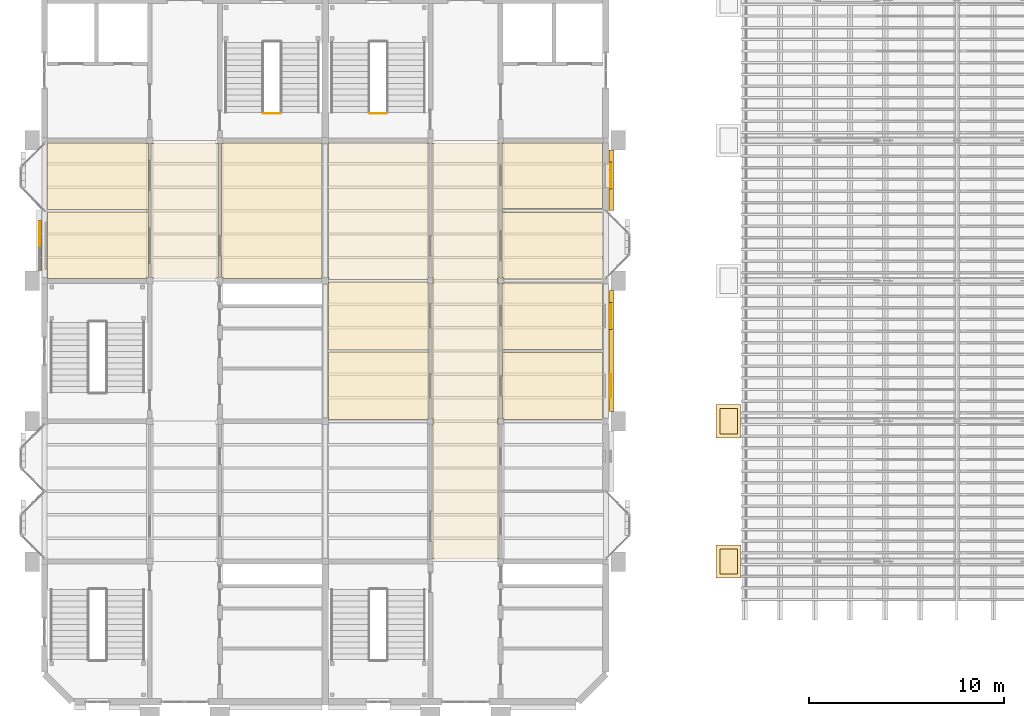
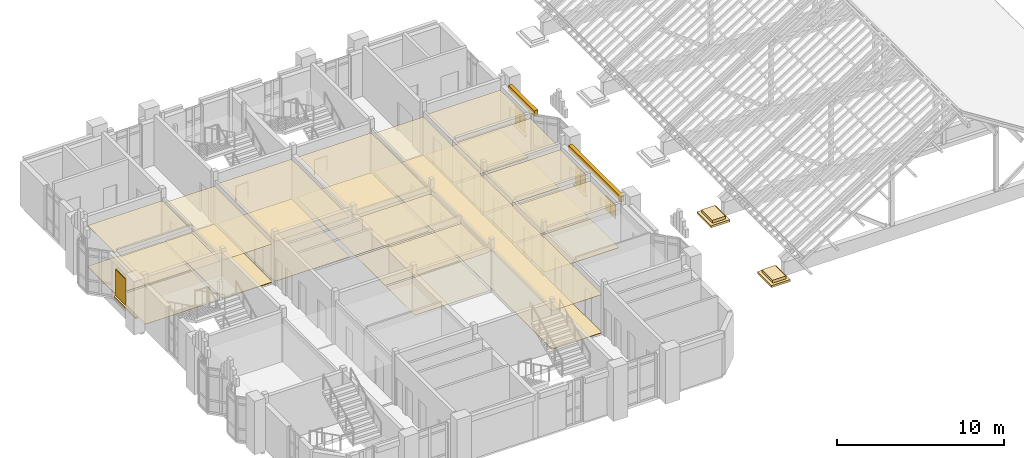
# One storey, part 62 of 71: 40 coverings, 2 railings.
"""IFC4 building model written with IfcOpenShell, lengths in metres."""

from ifc_helpers import new_model, si_unit, direction, frame, origin, origin_2d, place, context, subcontext, project, spatial, polyline, rectangle, circle, outline, extrude, material, layer, layer_set, type_object, element, save


model = new_model("IFC4")

# Units and contexts
model_context = context("Model", 3, precision=1e-05, world=origin(), true_north=direction((0.0, 1.0)))
body_context = subcontext(model_context, "Body", "Model", "MODEL_VIEW")
ifc_project = project(units=[si_unit("LENGTHUNIT", "METRE"), si_unit("AREAUNIT", "SQUARE_METRE"), si_unit("VOLUMEUNIT", "CUBIC_METRE"), si_unit("PLANEANGLEUNIT", "RADIAN"), si_unit("MASSUNIT", "GRAM", prefix="KILO")], contexts=[model_context])

# Site, building, storey
site_placement = place(None, origin())
site = spatial("IfcSite", under=ifc_project, at=site_placement, CompositionType="ELEMENT")
building_placement = place(site_placement, origin())
building = spatial("IfcBuilding", under=site, at=building_placement, Name="Mazhai Court Health Centre", CompositionType="ELEMENT")
storey_placement = place(building_placement, frame((0.0, 0.0, 10.199951171875)))
storey = spatial("IfcBuildingStorey", under=building, at=storey_placement, Name="L02", CompositionType="ELEMENT", Elevation=10.199951171875)

# Coverings
ifc_material_1 = material(Name="Clay brick masonry", Category="masonry")
ifc_layer_1 = layer(ifc_material_1, 0.25)
ifc_layer_set_1 = layer_set([ifc_layer_1], Name="BRICK BAND 250")
covering_type_1 = type_object("IfcCoveringType", Name="BRICK BAND 250", PredefinedType="MOLDING", material=ifc_layer_set_1)
covering_1_placement = place(storey_placement, frame((0.0, 0.0, 2.969970703125)))
element("IfcCovering", 1, at=covering_1_placement, inside=storey, type_object=covering_type_1, Name="EB-V5-L02-B2p0-0", PredefinedType="MOLDING", context=body_context, shape_type="SweptSolid", body=[
    extrude(outline(polyline([(35.1650390625, 27.300048828125), (35.1650390625, 21.10009765625), (35.4150390625, 21.10009765625), (35.4150390625, 27.300048828125), (35.1650390625, 27.300048828125)])), origin(), (0.0, 0.0, 1.0), 0.400146484375),
])
covering_2_placement = place(storey_placement, frame((0.0, 0.0, 2.969970703125)))
element("IfcCovering", 2, at=covering_2_placement, inside=storey, type_object=covering_type_1, Name="EB-V5-L02-B3p1-0", PredefinedType="MOLDING", context=body_context, shape_type="SweptSolid", body=[
    extrude(outline(polyline([(35.1650390625, 34.5), (35.1650390625, 31.39990234375), (35.4150390625, 31.39990234375), (35.4150390625, 34.5), (35.1650390625, 34.5)])), origin(), (0.0, 0.0, 1.0), 0.400146484375),
])
ifc_material_2 = material(Name="Clay brick masonry", Category="masonry")
ifc_layer_2 = layer(ifc_material_2, 0.14990234375)
ifc_layer_set_2 = layer_set([ifc_layer_2], Name="BRICK BUTTRESS CAP 150")
covering_type_2 = type_object("IfcCoveringType", Name="BRICK BUTTRESS CAP 150", PredefinedType="MOLDING", material=ifc_layer_set_2)
covering_3_placement = place(storey_placement, origin())
element("IfcCovering", 3, at=covering_3_placement, inside=storey, type_object=covering_type_2, Name="EC-V1-W0-0", PredefinedType="MOLDING", context=body_context, shape_type="SweptSolid", body=[
    extrude(outline(polyline([(41.93994140625, 12.550048828125), (41.93994140625, 14.25), (40.639892578125, 14.25), (40.639892578125, 12.550048828125), (41.93994140625, 12.550048828125)])), origin(), (0.0, 0.0, 1.0), 0.150146484375),
])
covering_4_placement = place(storey_placement, frame((0.0, 0.0, 0.150146484375)))
element("IfcCovering", 4, at=covering_4_placement, inside=storey, type_object=covering_type_2, Name="EC-V1-W0-1", PredefinedType="MOLDING", context=body_context, shape_type="SweptSolid", body=[
    extrude(outline(polyline([(41.739990234375, 12.75), (41.739990234375, 14.050048828125), (40.840087890625, 14.050048828125), (40.840087890625, 12.75), (41.739990234375, 12.75)])), origin(), (0.0, 0.0, 1.0), 0.199951171875),
])
covering_5_placement = place(storey_placement, origin())
element("IfcCovering", 5, at=covering_5_placement, inside=storey, type_object=covering_type_2, Name="EC-V1-W1-0", PredefinedType="MOLDING", context=body_context, shape_type="SweptSolid", body=[
    extrude(outline(polyline([(41.93994140625, 19.75), (41.93994140625, 21.449951171875), (40.639892578125, 21.449951171875), (40.639892578125, 19.75), (41.93994140625, 19.75)])), origin(), (0.0, 0.0, 1.0), 0.150146484375),
])
covering_6_placement = place(storey_placement, frame((0.0, 0.0, 0.150146484375)))
element("IfcCovering", 6, at=covering_6_placement, inside=storey, type_object=covering_type_2, Name="EC-V1-W1-1", PredefinedType="MOLDING", context=body_context, shape_type="SweptSolid", body=[
    extrude(outline(polyline([(41.739990234375, 19.949951171875), (41.739990234375, 21.25), (40.840087890625, 21.25), (40.840087890625, 19.949951171875), (41.739990234375, 19.949951171875)])), origin(), (0.0, 0.0, 1.0), 0.199951171875),
])
ifc_material_3 = material(Name="Clay brick masonry", Category="masonry")
ifc_layer_3 = layer(ifc_material_3, 0.14990234375)
ifc_layer_set_3 = layer_set([ifc_layer_3], Name="BRICK SILL COURSE 150")
covering_type_3 = type_object("IfcCoveringType", Name="BRICK SILL COURSE 150", PredefinedType="MOLDING", material=ifc_layer_set_3)
covering_7_placement = place(storey_placement, frame((0.0, 0.0, 0.330078125)))
element("IfcCovering", 7, at=covering_7_placement, inside=storey, type_object=covering_type_3, Name="ES-WN-V2-L02-A30", PredefinedType="MOLDING", context=body_context, shape_type="SweptSolid", body=[
    extrude(outline(polyline([(6.034912109375, 28.300048828125), (6.034912109375, 30.89990234375), (5.885009765625, 30.89990234375), (5.885009765625, 28.300048828125), (6.034912109375, 28.300048828125)])), origin(), (0.0, 0.0, 1.0), 0.119873046875),
])
covering_8_placement = place(storey_placement, frame((0.0, 0.0, 0.780029296875)))
element("IfcCovering", 8, at=covering_8_placement, inside=storey, type_object=covering_type_3, Name="ES-WN-V5-L02-B21", PredefinedType="MOLDING", context=body_context, shape_type="SweptSolid", body=[
    extrude(outline(polyline([(35.1650390625, 26.699951171875), (35.1650390625, 25.300048828125), (35.31494140625, 25.300048828125), (35.31494140625, 26.699951171875), (35.1650390625, 26.699951171875)])), origin(), (0.0, 0.0, 1.0), 0.1201171875),
])
covering_9_placement = place(storey_placement, frame((0.0, 0.0, 0.780029296875)))
element("IfcCovering", 9, at=covering_9_placement, inside=storey, type_object=covering_type_3, Name="ES-WN-V5-L02-B31", PredefinedType="MOLDING", context=body_context, shape_type="SweptSolid", body=[
    extrude(outline(polyline([(35.1650390625, 33.89990234375), (35.1650390625, 32.5), (35.31494140625, 32.5), (35.31494140625, 33.89990234375), (35.1650390625, 33.89990234375)])), origin(), (0.0, 0.0, 1.0), 0.1201171875),
])
ifc_material_4 = material(Name="Gypsum plasterboard ceiling")
ifc_layer_4 = layer(ifc_material_4, 0.02001953125)
ifc_layer_set_4 = layer_set([ifc_layer_4], Name="CEILING GYPSUM BOARD 20")
covering_type_4 = type_object("IfcCoveringType", Name="CEILING GYPSUM BOARD 20", PredefinedType="CEILING", material=ifc_layer_set_4)
covering_10_placement = place(storey_placement, frame((0.0, 0.0, 2.800048828125)))
element("IfcCovering", 10, at=covering_10_placement, inside=storey, type_object=covering_type_4, Name="ceil-V2-L02-A1-day-ward-bay", PredefinedType="CEILING", context=body_context, shape_type="SweptSolid", body=[
    extrude(outline(polyline([(11.43994140625, 27.925048828125), (11.43994140625, 27.9599609375), (11.52490234375, 27.9599609375), (11.52490234375, 31.33740234375), (6.364990234375, 31.33740234375), (6.364990234375, 27.925048828125), (11.43994140625, 27.925048828125)])), origin(), (0.0, 0.0, 1.0), 0.02001953125),
])
covering_11_placement = place(storey_placement, frame((0.0, 0.0, 2.900146484375)))
element("IfcCovering", 11, at=covering_11_placement, inside=storey, type_object=covering_type_4, Name="ceil-V2-L02-B1-second-phase-recovery-lounge", PredefinedType="CEILING", context=body_context, shape_type="SweptSolid", body=[
    extrude(outline(polyline([(15.360107421875, 34.875), (15.360107421875, 34.840087890625), (15.27490234375, 34.840087890625), (15.27490234375, 27.9599609375), (15.360107421875, 27.9599609375), (15.360107421875, 27.925048828125), (20.43505859375, 27.925048828125), (20.43505859375, 34.875), (15.360107421875, 34.875)])), origin(), (0.0, 0.0, 1.0), 0.02001953125),
])
covering_12_placement = place(storey_placement, frame((0.0, 0.0, 2.800048828125)))
element("IfcCovering", 12, at=covering_12_placement, inside=storey, type_object=covering_type_4, Name="ceil-V5-L02-A0-physiotherapy-treatment-room-1", PredefinedType="CEILING", context=body_context, shape_type="SweptSolid", body=[
    extrude(outline(polyline([(25.860107421875, 20.699951171875), (25.860107421875, 20.739990234375), (25.925048828125, 20.739990234375), (25.925048828125, 24.137451171875), (20.764892578125, 24.137451171875), (20.764892578125, 20.699951171875), (25.860107421875, 20.699951171875)])), origin(), (0.0, 0.0, 1.0), 0.02001953125),
])
covering_13_placement = place(storey_placement, frame((0.0, 0.0, 2.800048828125)))
element("IfcCovering", 13, at=covering_13_placement, inside=storey, type_object=covering_type_4, Name="ceil-V5-L02-A0-physiotherapy-treatment-room-2", PredefinedType="CEILING", context=body_context, shape_type="SweptSolid", body=[
    extrude(outline(polyline([(25.925048828125, 27.659912109375), (25.860107421875, 27.659912109375), (25.860107421875, 27.737548828125), (20.764892578125, 27.737548828125), (20.764892578125, 24.262451171875), (25.925048828125, 24.262451171875), (25.925048828125, 27.659912109375)])), origin(), (0.0, 0.0, 1.0), 0.02001953125),
])
covering_14_placement = place(storey_placement, frame((0.0, 0.0, 2.900146484375)))
element("IfcCovering", 14, at=covering_14_placement, inside=storey, type_object=covering_type_4, Name="ceil-V5-L02-A0-seminar-room", PredefinedType="CEILING", context=body_context, shape_type="SweptSolid", body=[
    extrude(outline(polyline([(25.925048828125, 34.860107421875), (25.860107421875, 34.860107421875), (25.860107421875, 34.875), (20.764892578125, 34.875), (20.764892578125, 27.862548828125), (25.860107421875, 27.862548828125), (25.860107421875, 27.93994140625), (25.925048828125, 27.93994140625), (25.925048828125, 34.860107421875)])), origin(), (0.0, 0.0, 1.0), 0.02001953125),
])
covering_15_placement = place(storey_placement, frame((0.0, 0.0, 2.800048828125)))
element("IfcCovering", 15, at=covering_15_placement, inside=storey, type_object=covering_type_4, Name="ceil-V5-L02-B0-server-room", PredefinedType="CEILING", context=body_context, shape_type="SweptSolid", body=[
    extrude(outline(polyline([(29.6875, 20.739990234375), (29.739990234375, 20.739990234375), (29.739990234375, 20.6875), (34.8349609375, 20.6875), (34.8349609375, 24.112548828125), (29.6875, 24.112548828125), (29.6875, 20.739990234375)])), origin(), (0.0, 0.0, 1.0), 0.02001953125),
])
covering_16_placement = place(storey_placement, frame((0.0, 0.0, 2.900146484375)))
element("IfcCovering", 16, at=covering_16_placement, inside=storey, type_object=covering_type_4, Name="ceil-V5-L02-B0-staff-room", PredefinedType="CEILING", context=body_context, shape_type="SweptSolid", body=[
    extrude(outline(polyline([(29.739990234375, 27.699951171875), (29.739990234375, 27.659912109375), (29.675048828125, 27.659912109375), (29.675048828125, 24.28759765625), (34.8349609375, 24.28759765625), (34.8349609375, 27.699951171875), (29.739990234375, 27.699951171875)])), origin(), (0.0, 0.0, 1.0), 0.02001953125),
])
covering_17_placement = place(storey_placement, frame((0.0, 0.0, 3.0)))
element("IfcCovering", 17, at=covering_17_placement, inside=storey, type_object=covering_type_4, Name="ceil-V5-L02-B0-occupational-therapy-room", PredefinedType="CEILING", context=body_context, shape_type="SweptSolid", body=[
    extrude(outline(polyline([(29.675048828125, 27.93994140625), (29.739990234375, 27.93994140625), (29.739990234375, 27.89990234375), (34.8349609375, 27.89990234375), (34.8349609375, 31.300048828125), (29.675048828125, 31.300048828125), (29.675048828125, 27.93994140625)])), origin(), (0.0, 0.0, 1.0), 0.02001953125),
])
covering_18_placement = place(storey_placement, frame((0.0, 0.0, 2.900146484375)))
element("IfcCovering", 18, at=covering_18_placement, inside=storey, type_object=covering_type_4, Name="ceil-V5-L02-B0-rehabilitation-office", PredefinedType="CEILING", context=body_context, shape_type="SweptSolid", body=[
    extrude(outline(polyline([(29.739990234375, 34.875), (29.739990234375, 34.860107421875), (29.675048828125, 34.860107421875), (29.675048828125, 31.5), (34.8349609375, 31.5), (34.8349609375, 34.875), (29.739990234375, 34.875)])), origin(), (0.0, 0.0, 1.0), 0.02001953125),
])
ifc_material_5 = material(Name="Mineral fibre ceiling tile")
ifc_layer_5 = layer(ifc_material_5, 0.014892578125)
ifc_layer_set_5 = layer_set([ifc_layer_5], Name="CEILING MINERAL FIBRE TILE 15")
covering_type_5 = type_object("IfcCoveringType", Name="CEILING MINERAL FIBRE TILE 15", PredefinedType="CEILING", material=ifc_layer_set_5)
covering_19_placement = place(storey_placement, frame((0.0, 0.0, 3.0)))
element("IfcCovering", 19, at=covering_19_placement, inside=storey, type_object=covering_type_5, Name="ceil-V2-L02-A1-discharge-lounge", PredefinedType="CEILING", context=body_context, shape_type="SweptSolid", body=[
    extrude(outline(polyline([(11.52490234375, 34.840087890625), (11.43994140625, 34.840087890625), (11.43994140625, 34.875), (6.364990234375, 34.875), (6.364990234375, 31.46240234375), (11.52490234375, 31.46240234375), (11.52490234375, 34.840087890625)])), origin(), (0.0, 0.0, 1.0), 0.01513671875),
])
covering_20_placement = place(storey_placement, frame((0.0, 0.0, 2.800048828125)))
element("IfcCovering", 20, at=covering_20_placement, inside=storey, type_object=covering_type_5, Name="ceil-V2-L02-corridor-1", PredefinedType="CEILING", context=body_context, shape_type="SweptSolid", body=[
    extrude(outline(polyline([(15.0400390625, 27.925048828125), (15.0400390625, 27.9599609375), (15.125, 27.9599609375), (15.125, 34.840087890625), (15.0400390625, 34.840087890625), (15.0400390625, 34.875), (11.760009765625, 34.875), (11.760009765625, 34.840087890625), (11.675048828125, 34.840087890625), (11.675048828125, 27.9599609375), (11.760009765625, 27.9599609375), (11.760009765625, 27.925048828125), (15.0400390625, 27.925048828125)])), origin(), (0.0, 0.0, 1.0), 0.014892578125),
])
covering_21_placement = place(storey_placement, frame((0.0, 0.0, 2.800048828125)))
element("IfcCovering", 21, at=covering_21_placement, inside=storey, type_object=covering_type_5, Name="ceil-V5-L02-corridor-0", PredefinedType="CEILING", context=body_context, shape_type="SweptSolid", body=[
    extrude(outline(polyline([(29.4599609375, 13.52490234375), (29.4599609375, 13.5400390625), (29.52490234375, 13.5400390625), (29.52490234375, 20.4599609375), (29.4599609375, 20.4599609375), (29.4599609375, 20.739990234375), (29.512451171875, 20.739990234375), (29.512451171875, 24.199951171875), (29.52490234375, 24.199951171875), (29.52490234375, 27.659912109375), (29.4599609375, 27.659912109375), (29.4599609375, 27.93994140625), (29.52490234375, 27.93994140625), (29.52490234375, 34.860107421875), (29.4599609375, 34.860107421875), (29.4599609375, 34.875), (26.139892578125, 34.875), (26.139892578125, 34.860107421875), (26.074951171875, 34.860107421875), (26.074951171875, 27.93994140625), (26.139892578125, 27.93994140625), (26.139892578125, 27.659912109375), (26.074951171875, 27.659912109375), (26.074951171875, 20.739990234375), (26.139892578125, 20.739990234375), (26.139892578125, 20.4599609375), (26.074951171875, 20.4599609375), (26.074951171875, 13.5400390625), (26.139892578125, 13.5400390625), (26.139892578125, 13.52490234375), (29.4599609375, 13.52490234375)])), origin(), (0.0, 0.0, 1.0), 0.014892578125),
])
ifc_material_6 = material(Name="Epoxy floor screed")
ifc_layer_6 = layer(ifc_material_6, 0.034912109375)
ifc_layer_set_6 = layer_set([ifc_layer_6], Name="FLOOR FINISH EPOXY FLOOR SCREED 35")
covering_type_6 = type_object("IfcCoveringType", Name="FLOOR FINISH EPOXY FLOOR SCREED 35", PredefinedType="FLOORING", material=ifc_layer_set_6)
covering_22_placement = place(storey_placement, origin())
element("IfcCovering", 22, at=covering_22_placement, inside=storey, type_object=covering_type_6, Name="floor-V5-L02-B0-server-room", PredefinedType="FLOORING", context=body_context, shape_type="SweptSolid", body=[
    extrude(outline(polyline([(29.6875, 20.739990234375), (29.739990234375, 20.739990234375), (29.739990234375, 20.6875), (34.8349609375, 20.6875), (34.8349609375, 24.112548828125), (29.6875, 24.112548828125), (29.6875, 20.739990234375)])), origin(), (0.0, 0.0, 1.0), 0.03515625),
])
ifc_material_7 = material(Name="Heavy duty vinyl flooring")
ifc_layer_7 = layer(ifc_material_7, 0.02001953125)
ifc_layer_set_7 = layer_set([ifc_layer_7], Name="FLOOR FINISH HEAVY DUTY VINYL FLOORING 20")
covering_type_7 = type_object("IfcCoveringType", Name="FLOOR FINISH HEAVY DUTY VINYL FLOORING 20", PredefinedType="FLOORING", material=ifc_layer_set_7)
covering_23_placement = place(storey_placement, origin())
element("IfcCovering", 23, at=covering_23_placement, inside=storey, type_object=covering_type_7, Name="floor-V2-L02-A1-day-ward-bay", PredefinedType="FLOORING", context=body_context, shape_type="SweptSolid", body=[
    extrude(outline(polyline([(11.43994140625, 27.925048828125), (11.43994140625, 27.9599609375), (11.52490234375, 27.9599609375), (11.52490234375, 31.33740234375), (6.364990234375, 31.33740234375), (6.364990234375, 27.925048828125), (11.43994140625, 27.925048828125)])), origin(), (0.0, 0.0, 1.0), 0.02001953125),
])
covering_24_placement = place(storey_placement, origin())
element("IfcCovering", 24, at=covering_24_placement, inside=storey, type_object=covering_type_7, Name="floor-V5-L02-A0-physiotherapy-treatment-room-1", PredefinedType="FLOORING", context=body_context, shape_type="SweptSolid", body=[
    extrude(outline(polyline([(25.860107421875, 20.699951171875), (25.860107421875, 20.739990234375), (25.925048828125, 20.739990234375), (25.925048828125, 24.137451171875), (20.764892578125, 24.137451171875), (20.764892578125, 20.699951171875), (25.860107421875, 20.699951171875)])), origin(), (0.0, 0.0, 1.0), 0.02001953125),
])
covering_25_placement = place(storey_placement, origin())
element("IfcCovering", 25, at=covering_25_placement, inside=storey, type_object=covering_type_7, Name="floor-V5-L02-A0-physiotherapy-treatment-room-2", PredefinedType="FLOORING", context=body_context, shape_type="SweptSolid", body=[
    extrude(outline(polyline([(25.925048828125, 27.659912109375), (25.860107421875, 27.659912109375), (25.860107421875, 27.737548828125), (20.764892578125, 27.737548828125), (20.764892578125, 24.262451171875), (25.925048828125, 24.262451171875), (25.925048828125, 27.659912109375)])), origin(), (0.0, 0.0, 1.0), 0.02001953125),
])
ifc_material_8 = material(Name="Linoleum flooring")
ifc_layer_8 = layer(ifc_material_8, 0.02001953125)
ifc_layer_set_8 = layer_set([ifc_layer_8], Name="FLOOR FINISH LINOLEUM FLOORING 20")
covering_type_8 = type_object("IfcCoveringType", Name="FLOOR FINISH LINOLEUM FLOORING 20", PredefinedType="FLOORING", material=ifc_layer_set_8)
covering_26_placement = place(storey_placement, origin())
element("IfcCovering", 26, at=covering_26_placement, inside=storey, type_object=covering_type_8, Name="floor-V2-L02-B1-second-phase-recovery-lounge", PredefinedType="FLOORING", context=body_context, shape_type="SweptSolid", body=[
    extrude(outline(polyline([(15.360107421875, 34.875), (15.360107421875, 34.840087890625), (15.27490234375, 34.840087890625), (15.27490234375, 27.9599609375), (15.360107421875, 27.9599609375), (15.360107421875, 27.925048828125), (20.43505859375, 27.925048828125), (20.43505859375, 34.875), (15.360107421875, 34.875)])), origin(), (0.0, 0.0, 1.0), 0.02001953125),
])
covering_27_placement = place(storey_placement, origin())
element("IfcCovering", 27, at=covering_27_placement, inside=storey, type_object=covering_type_8, Name="floor-V5-L02-A0-seminar-room", PredefinedType="FLOORING", context=body_context, shape_type="SweptSolid", body=[
    extrude(outline(polyline([(25.925048828125, 34.860107421875), (25.860107421875, 34.860107421875), (25.860107421875, 34.875), (20.764892578125, 34.875), (20.764892578125, 27.862548828125), (25.860107421875, 27.862548828125), (25.860107421875, 27.93994140625), (25.925048828125, 27.93994140625), (25.925048828125, 34.860107421875)])), origin(), (0.0, 0.0, 1.0), 0.02001953125),
])
covering_28_placement = place(storey_placement, origin())
element("IfcCovering", 28, at=covering_28_placement, inside=storey, type_object=covering_type_8, Name="floor-V5-L02-B0-staff-room", PredefinedType="FLOORING", context=body_context, shape_type="SweptSolid", body=[
    extrude(outline(polyline([(29.739990234375, 27.699951171875), (29.739990234375, 27.659912109375), (29.675048828125, 27.659912109375), (29.675048828125, 24.28759765625), (34.8349609375, 24.28759765625), (34.8349609375, 27.699951171875), (29.739990234375, 27.699951171875)])), origin(), (0.0, 0.0, 1.0), 0.02001953125),
])
covering_29_placement = place(storey_placement, origin())
element("IfcCovering", 29, at=covering_29_placement, inside=storey, type_object=covering_type_8, Name="floor-V5-L02-B0-occupational-therapy-room", PredefinedType="FLOORING", context=body_context, shape_type="SweptSolid", body=[
    extrude(outline(polyline([(29.675048828125, 27.93994140625), (29.739990234375, 27.93994140625), (29.739990234375, 27.89990234375), (34.8349609375, 27.89990234375), (34.8349609375, 31.300048828125), (29.675048828125, 31.300048828125), (29.675048828125, 27.93994140625)])), origin(), (0.0, 0.0, 1.0), 0.02001953125),
])
covering_30_placement = place(storey_placement, origin())
element("IfcCovering", 30, at=covering_30_placement, inside=storey, type_object=covering_type_8, Name="floor-V5-L02-B0-rehabilitation-office", PredefinedType="FLOORING", context=body_context, shape_type="SweptSolid", body=[
    extrude(outline(polyline([(29.739990234375, 34.875), (29.739990234375, 34.860107421875), (29.675048828125, 34.860107421875), (29.675048828125, 31.5), (34.8349609375, 31.5), (34.8349609375, 34.875), (29.739990234375, 34.875)])), origin(), (0.0, 0.0, 1.0), 0.02001953125),
])
ifc_material_9 = material(Name="Terrazzo flooring")
ifc_layer_9 = layer(ifc_material_9, 0.0400390625)
ifc_layer_set_9 = layer_set([ifc_layer_9], Name="FLOOR FINISH TERRAZZO FLOORING 40")
covering_type_9 = type_object("IfcCoveringType", Name="FLOOR FINISH TERRAZZO FLOORING 40", PredefinedType="FLOORING", material=ifc_layer_set_9)
covering_31_placement = place(storey_placement, origin())
element("IfcCovering", 31, at=covering_31_placement, inside=storey, type_object=covering_type_9, Name="floor-V2-L02-A1-discharge-lounge", PredefinedType="FLOORING", context=body_context, shape_type="SweptSolid", body=[
    extrude(outline(polyline([(11.52490234375, 34.840087890625), (11.43994140625, 34.840087890625), (11.43994140625, 34.875), (6.364990234375, 34.875), (6.364990234375, 31.46240234375), (11.52490234375, 31.46240234375), (11.52490234375, 34.840087890625)])), origin(), (0.0, 0.0, 1.0), 0.0400390625),
])
covering_32_placement = place(storey_placement, origin())
element("IfcCovering", 32, at=covering_32_placement, inside=storey, type_object=covering_type_9, Name="floor-V2-L02-corridor-1", PredefinedType="FLOORING", context=body_context, shape_type="SweptSolid", body=[
    extrude(outline(polyline([(15.0400390625, 27.925048828125), (15.0400390625, 27.9599609375), (15.125, 27.9599609375), (15.125, 34.840087890625), (15.0400390625, 34.840087890625), (15.0400390625, 34.875), (11.760009765625, 34.875), (11.760009765625, 34.840087890625), (11.675048828125, 34.840087890625), (11.675048828125, 27.9599609375), (11.760009765625, 27.9599609375), (11.760009765625, 27.925048828125), (15.0400390625, 27.925048828125)])), origin(), (0.0, 0.0, 1.0), 0.0400390625),
])
covering_33_placement = place(storey_placement, origin())
element("IfcCovering", 33, at=covering_33_placement, inside=storey, type_object=covering_type_9, Name="floor-V5-L02-corridor-0", PredefinedType="FLOORING", context=body_context, shape_type="SweptSolid", body=[
    extrude(outline(polyline([(29.4599609375, 13.52490234375), (29.4599609375, 13.5400390625), (29.52490234375, 13.5400390625), (29.52490234375, 20.4599609375), (29.4599609375, 20.4599609375), (29.4599609375, 20.739990234375), (29.512451171875, 20.739990234375), (29.512451171875, 24.199951171875), (29.52490234375, 24.199951171875), (29.52490234375, 27.659912109375), (29.4599609375, 27.659912109375), (29.4599609375, 27.93994140625), (29.52490234375, 27.93994140625), (29.52490234375, 34.860107421875), (29.4599609375, 34.860107421875), (29.4599609375, 34.875), (26.139892578125, 34.875), (26.139892578125, 34.860107421875), (26.074951171875, 34.860107421875), (26.074951171875, 27.93994140625), (26.139892578125, 27.93994140625), (26.139892578125, 27.659912109375), (26.074951171875, 27.659912109375), (26.074951171875, 20.739990234375), (26.139892578125, 20.739990234375), (26.139892578125, 20.4599609375), (26.074951171875, 20.4599609375), (26.074951171875, 13.5400390625), (26.139892578125, 13.5400390625), (26.139892578125, 13.52490234375), (29.4599609375, 13.52490234375)])), origin(), (0.0, 0.0, 1.0), 0.0400390625),
])
ifc_material_10 = material(Name="Aluminium louvre", Category="aluminium")
ifc_layer_10 = layer(ifc_material_10, 0.0400390625)
ifc_layer_set_10 = layer_set([ifc_layer_10], Name="SHUTTER LEAF 600x40")
covering_type_10 = type_object("IfcCoveringType", Name="SHUTTER LEAF 600x40", PredefinedType="CLADDING", material=ifc_layer_set_10)
covering_34_placement = place(storey_placement, frame((5.955078125, 30.199951171875, 0.550048828125), z_axis=(0.0, 0.0, 1.0), x_axis=(0.0, 1.0, 0.0)))
element("IfcCovering", 34, at=covering_34_placement, inside=storey, type_object=covering_type_10, Name="LV-V2-L02-A30b", PredefinedType="CLADDING", context=body_context, shape_type="SweptSolid", body=[
    extrude(rectangle(XDim=1.199951171875, YDim=0.0400390625, at=origin_2d()), origin(), (0.0, 0.0, 1.0), 1.89990234375),
])
for number, where, z_axis, x_axis, name in (
    (35, (35.2451171875, 22.10009765625, 1.300048828125), (0.0, 0.0, 1.0), (0.0, 1.0, 0.0), "LV-V5-L02-B20a"),
    (36, (35.2451171875, 22.699951171875, 1.300048828125), (0.0, 0.0, 1.0), (0.0, 1.0, 0.0), "LV-V5-L02-B20b"),
):
    element("IfcCovering", number, at=place(storey_placement, frame(where, z_axis=z_axis, x_axis=x_axis)), inside=storey, type_object=covering_type_10, Name=name, PredefinedType="CLADDING", context=body_context, shape_type="SweptSolid", body=[
        extrude(rectangle(XDim=0.60009765625, YDim=0.0400390625, at=origin_2d()), origin(), (0.0, 0.0, 1.0), 1.0),
    ])
for number, where, z_axis, x_axis, name in (
    (37, (35.2451171875, 25.699951171875, 1.0), (0.0, 0.0, 1.0), (0.0, 1.0, 0.0), "LV-V5-L02-B21a"),
    (38, (35.2451171875, 26.300048828125, 1.0), (0.0, 0.0, 1.0), (0.0, 1.0, 0.0), "LV-V5-L02-B21b"),
    (39, (35.2451171875, 32.89990234375, 1.0), (0.0, 0.0, 1.0), (0.0, 1.0, 0.0), "LV-V5-L02-B31a"),
    (40, (35.2451171875, 33.5, 1.0), (0.0, 0.0, 1.0), (0.0, 1.0, 0.0), "LV-V5-L02-B31b"),
):
    element("IfcCovering", number, at=place(storey_placement, frame(where, z_axis=z_axis, x_axis=x_axis)), inside=storey, type_object=covering_type_10, Name=name, PredefinedType="CLADDING", context=body_context, shape_type="SweptSolid", body=[
        extrude(rectangle(XDim=0.60009765625, YDim=0.0400390625, at=origin_2d()), origin(), (0.0, 0.0, 1.0), 1.300048828125),
    ])

# Railings
ifc_material_11 = material(Name="Steel IS 2062 E250", Category="steel")
railing_type = type_object("IfcRailingType", Name="STAIR GUARD 1100", PredefinedType="GUARDRAIL", material=ifc_material_11)
railing_1_placement = place(storey_placement, frame((18.304931640625, 36.385009765625, 0.0)))
element("IfcRailing", 41, at=railing_1_placement, inside=storey, type_object=railing_type, Name="L02 ST3 stair guard 4", PredefinedType="GUARDRAIL", context=body_context, shape_type="SweptSolid", body=[
    extrude(circle(Radius=0.02392578125, at=origin_2d()), frame((0.0, 0.0, 1.076171875), z_axis=(-1.0, 0.0, 0.0), x_axis=(0.0, -1.0, 0.0)), (0.0, 0.0, 1.0), 0.849853515625),
    extrude(circle(Radius=0.02099609375, at=origin_2d()), origin(), (0.0, 0.0, 1.0), 1.052001953125),
    extrude(circle(Radius=0.02099609375, at=origin_2d()), frame((-0.849853515625, 0.0, 0.0)), (0.0, 0.0, 1.0), 1.052001953125),
])
railing_2_placement = place(storey_placement, frame((23.7451171875, 36.385009765625, 0.0)))
element("IfcRailing", 42, at=railing_2_placement, inside=storey, type_object=railing_type, Name="L02 ST5 stair guard 4", PredefinedType="GUARDRAIL", context=body_context, shape_type="SweptSolid", body=[
    extrude(circle(Radius=0.02392578125, at=origin_2d()), frame((0.0, 0.0, 1.076171875), z_axis=(-1.0, 0.0, 0.0), x_axis=(0.0, -1.0, 0.0)), (0.0, 0.0, 1.0), 0.85009765625),
    extrude(circle(Radius=0.02099609375, at=origin_2d()), origin(), (0.0, 0.0, 1.0), 1.052001953125),
    extrude(circle(Radius=0.02099609375, at=origin_2d()), frame((-0.85009765625, 0.0, 0.0)), (0.0, 0.0, 1.0), 1.052001953125),
])

save(model, "model.ifc")
